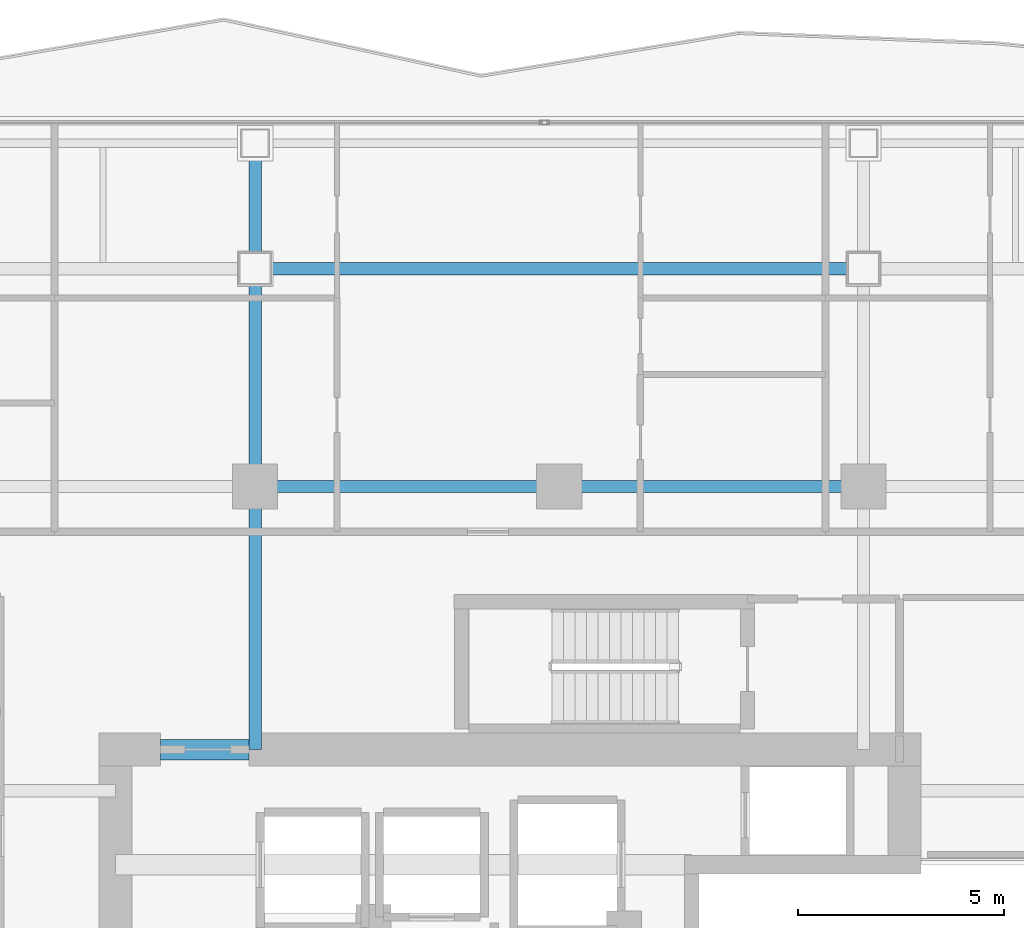
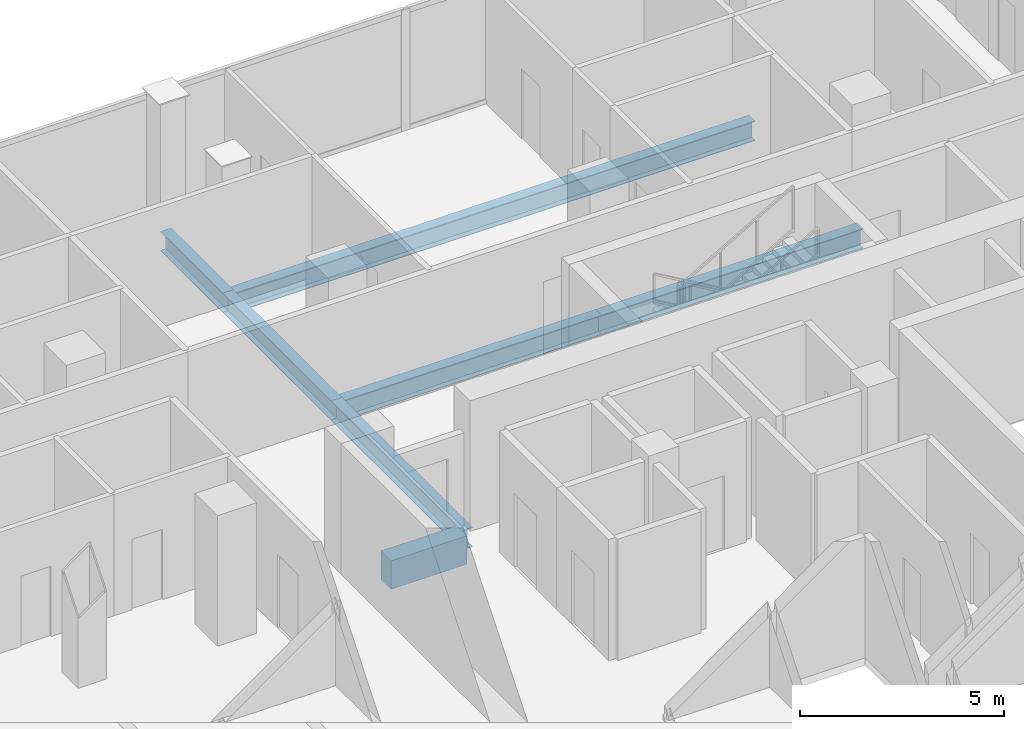
# One storey, part 12 of 26: 7 beams.
"""IFC4 building model written with IfcOpenShell, lengths in metres."""

from ifc_helpers import new_model, si_unit, direction, frame, origin, origin_2d, place, context, subcontext, project, spatial, rectangle, i_section, extrude, material, material_profile, profile_set, type_object, element, save


model = new_model("IFC4")

# Units and contexts
model_context = context("Model", 3, precision=1e-05, world=origin(), true_north=direction((0.0, 1.0)))
body_context = subcontext(model_context, "Body", "Model", "MODEL_VIEW")
ifc_project = project(units=[si_unit("LENGTHUNIT", "METRE"), si_unit("AREAUNIT", "SQUARE_METRE"), si_unit("VOLUMEUNIT", "CUBIC_METRE"), si_unit("PLANEANGLEUNIT", "RADIAN"), si_unit("MASSUNIT", "GRAM", prefix="KILO")], contexts=[model_context])

# Site, building, storey
site_placement = place(None, origin())
site = spatial("IfcSite", under=ifc_project, at=site_placement, CompositionType="ELEMENT")
building_placement = place(site_placement, origin())
building = spatial("IfcBuilding", under=site, at=building_placement, Name="Khorvyn Point Tower", CompositionType="ELEMENT")
storey_placement = place(building_placement, frame((0.0, 0.0, 187.5)))
storey = spatial("IfcBuildingStorey", under=building, at=storey_placement, Name="L46", CompositionType="ELEMENT", Elevation=187.5)

# Beams
ifc_material_1 = material(Name="Concrete C45/55", Category="concrete")
ifc_material_profile_1 = material_profile(ifc_material_1, rectangle(XDim=0.5, YDim=0.85009765625, at=origin_2d()))
ifc_profile_set_1 = profile_set([ifc_material_profile_1], Name="Concrete C45/55 RC500x850")
beam_type_1 = type_object("IfcBeamType", Name="Concrete C45/55 Beam RC500x850", PredefinedType="BEAM", material=ifc_profile_set_1)
beam_1_placement = place(storey_placement, frame((-9.699951171875, 8.39990234375, -0.64501953125), z_axis=(1.0, 0.0, 0.0), x_axis=(0.0, 1.0, 0.0)))
element("IfcBeam", 1, at=beam_1_placement, inside=storey, type_object=beam_type_1, Name="L46 Core Northwest Portal Coupling Beam", PredefinedType="BEAM", context=body_context, shape_type="SweptSolid", body=[
    extrude(rectangle(XDim=0.5, YDim=0.85009765625, at=origin_2d()), origin(), (0.0, 0.0, 1.0), 2.14990234375),
])
ifc_material_2 = material(Name="Steel S355", Category="steel")
ifc_material_profile_2 = material_profile(ifc_material_2, i_section(OverallWidth=0.300048828125, OverallDepth=0.587890625, WebThickness=0.011962890625, FlangeThickness=0.02001953125, at=origin_2d()))
ifc_profile_set_2 = profile_set([ifc_material_profile_2], Name="Steel S355 H588x300x12x20")
beam_type_2 = type_object("IfcBeamType", Name="Steel S355 Beam H588x300x12x20", PredefinedType="BEAM", material=ifc_profile_set_2)
for number, where, z_axis, x_axis, name in (
    (2, (-7.39990234375, 14.800048828125, -0.513916015625), (1.0, 0.0, 0.0), (0.0, 1.0, 0.0), "Beam"),
    (3, (0.0, 14.800048828125, -0.513916015625), (1.0, 0.0, 0.0), (0.0, 1.0, 0.0), "Beam"),
):
    element("IfcBeam", number, at=place(storey_placement, frame(where, z_axis=z_axis, x_axis=x_axis)), inside=storey, type_object=beam_type_2, Name=name, PredefinedType="BEAM", context=body_context, shape_type="SweptSolid", body=[
        extrude(i_section(OverallWidth=0.300048828125, OverallDepth=0.587890625, WebThickness=0.011962890625, FlangeThickness=0.02001953125, at=origin_2d()), origin(), (0.0, 0.0, 1.0), 7.39990234375),
    ])
beam_2_placement = place(storey_placement, frame((-7.39990234375, 20.10009765625, -0.513916015625), z_axis=(1.0, 0.0, 0.0), x_axis=(0.0, 1.0, 0.0)))
element("IfcBeam", 4, at=beam_2_placement, inside=storey, type_object=beam_type_2, Name="Beam", PredefinedType="BEAM", context=body_context, shape_type="SweptSolid", body=[
    extrude(i_section(OverallWidth=0.300048828125, OverallDepth=0.587890625, WebThickness=0.011962890625, FlangeThickness=0.02001953125, at=origin_2d()), origin(), (0.0, 0.0, 1.0), 14.7998046875),
])
beam_3_placement = place(storey_placement, frame((-7.39990234375, 8.39990234375, -0.513916015625), z_axis=(0.0, 1.0, 0.0), x_axis=(-1.0, 0.0, 0.0)))
element("IfcBeam", 5, at=beam_3_placement, inside=storey, type_object=beam_type_2, Name="Beam", PredefinedType="BEAM", context=body_context, shape_type="SweptSolid", body=[
    extrude(i_section(OverallWidth=0.300048828125, OverallDepth=0.587890625, WebThickness=0.011962890625, FlangeThickness=0.02001953125, at=origin_2d()), origin(), (0.0, 0.0, 1.0), 6.400146484375),
])
beam_4_placement = place(storey_placement, frame((-7.39990234375, 14.800048828125, -0.513916015625), z_axis=(0.0, 1.0, 0.0), x_axis=(-1.0, 0.0, 0.0)))
element("IfcBeam", 6, at=beam_4_placement, inside=storey, type_object=beam_type_2, Name="Beam", PredefinedType="BEAM", context=body_context, shape_type="SweptSolid", body=[
    extrude(i_section(OverallWidth=0.300048828125, OverallDepth=0.587890625, WebThickness=0.011962890625, FlangeThickness=0.02001953125, at=origin_2d()), origin(), (0.0, 0.0, 1.0), 5.300048828125),
])
beam_5_placement = place(storey_placement, frame((-7.39990234375, 20.10009765625, -0.513916015625), z_axis=(0.0, 1.0, 0.0), x_axis=(-1.0, 0.0, 0.0)))
element("IfcBeam", 7, at=beam_5_placement, inside=storey, type_object=beam_type_2, Name="Beam", PredefinedType="BEAM", context=body_context, shape_type="SweptSolid", body=[
    extrude(i_section(OverallWidth=0.300048828125, OverallDepth=0.587890625, WebThickness=0.011962890625, FlangeThickness=0.02001953125, at=origin_2d()), origin(), (0.0, 0.0, 1.0), 3.0498046875),
])

save(model, "model.ifc")
